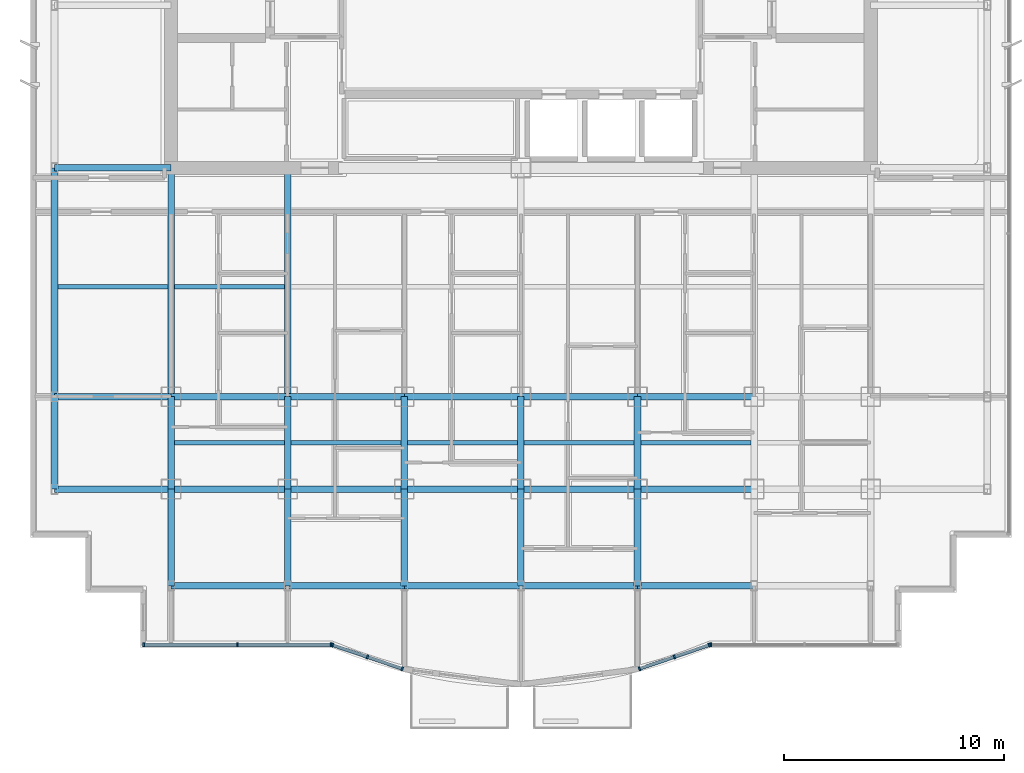
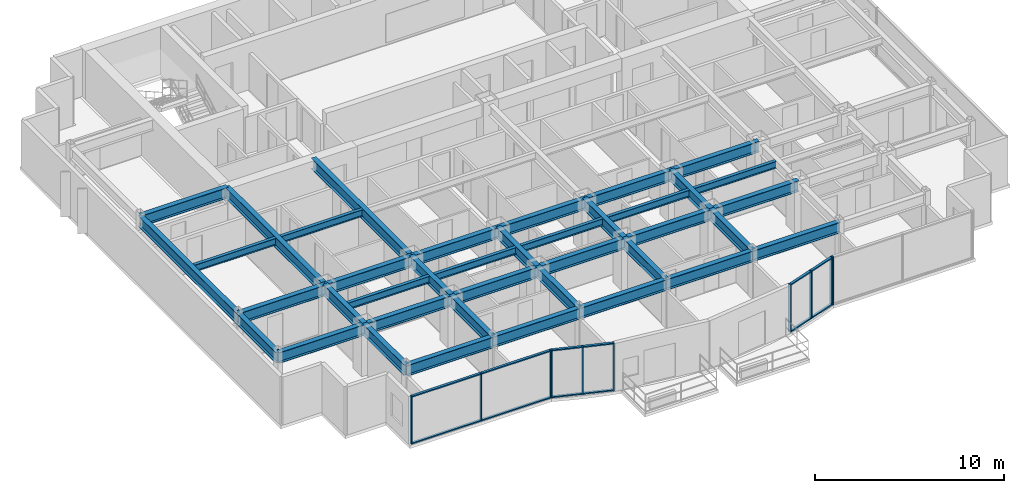
# One storey, part 2 of 13: 39 beams, 22 members, 4 elements without a shape of their own.
"""IFC4 building model written with IfcOpenShell, lengths in metres."""

from ifc_helpers import new_model, si_unit, direction, frame, origin, origin_2d, place, context, subcontext, project, spatial, rectangle, i_section, extrude, source, transform, mapped, material, layer, layer_set, material_profile, profile_set, type_object, element, aggregate, save


model = new_model("IFC4")

# Units and contexts
model_context = context("Model", 3, precision=1e-05, world=origin(), true_north=direction((0.0, 1.0)))
body_context = subcontext(model_context, "Body", "Model", "MODEL_VIEW")
ifc_project = project(units=[si_unit("LENGTHUNIT", "METRE"), si_unit("AREAUNIT", "SQUARE_METRE"), si_unit("VOLUMEUNIT", "CUBIC_METRE"), si_unit("PLANEANGLEUNIT", "RADIAN"), si_unit("MASSUNIT", "GRAM", prefix="KILO")], contexts=[model_context])

# Site, building, storey
site_placement = place(None, origin())
site = spatial("IfcSite", under=ifc_project, at=site_placement, CompositionType="ELEMENT")
building_placement = place(site_placement, origin())
building = spatial("IfcBuilding", under=site, at=building_placement, Name="Qianlan Lanfeng Residences", CompositionType="ELEMENT")
storey_placement = place(building_placement, frame((0.0, 0.0, 159.0)))
storey = spatial("IfcBuildingStorey", under=building, at=storey_placement, Name="L43", CompositionType="ELEMENT", Elevation=159.0)

# Beams
ifc_material_1 = material(Name="Steel SN490B", Category="steel")
ifc_material_profile_1 = material_profile(ifc_material_1, i_section(OverallWidth=0.300048828125, OverallDepth=0.699951171875, WebThickness=0.012939453125, FlangeThickness=0.02392578125, at=origin_2d()), Name="H 700x300x13x24")
ifc_profile_set_1 = profile_set([ifc_material_profile_1], Name="Steel SN490B")
beam_type_1 = type_object("IfcBeamType", Name="G-750", PredefinedType="BEAM", material=ifc_profile_set_1)
beam_1_placement = place(storey_placement, frame((5.300048828125, 10.60009765625, 2.75), z_axis=(1.0, 0.0, 0.0), x_axis=(0.0, 1.0, 0.0)))
element("IfcBeam", 1, at=beam_1_placement, inside=storey, type_object=beam_type_1, Name="Structural beam G-750", PredefinedType="BEAM", context=body_context, shape_type="SweptSolid", body=[
    extrude(i_section(OverallWidth=0.300048828125, OverallDepth=0.699951171875, WebThickness=0.012939453125, FlangeThickness=0.02392578125, at=origin_2d()), origin(), (0.0, 0.0, 1.0), 5.300048828125),
])
beam_2_placement = place(storey_placement, frame((10.60009765625, 10.60009765625, 2.75), z_axis=(1.0, 0.0, 0.0), x_axis=(0.0, 1.0, 0.0)))
element("IfcBeam", 2, at=beam_2_placement, inside=storey, type_object=beam_type_1, Name="Structural beam G-750", PredefinedType="BEAM", context=body_context, shape_type="SweptSolid", body=[
    extrude(i_section(OverallWidth=0.300048828125, OverallDepth=0.699951171875, WebThickness=0.012939453125, FlangeThickness=0.02392578125, at=origin_2d()), origin(), (0.0, 0.0, 1.0), 5.2998046875),
])
for number, where, z_axis, x_axis, name in (
    (3, (15.89990234375, 10.60009765625, 2.75), (1.0, 0.0, 0.0), (0.0, 1.0, 0.0), "Structural beam G-750"),
    (4, (21.199951171875, 10.60009765625, 2.75), (1.0, 0.0, 0.0), (0.0, 1.0, 0.0), "Structural beam G-750"),
    (5, (26.5, 10.60009765625, 2.75), (1.0, 0.0, 0.0), (0.0, 1.0, 0.0), "Structural beam G-750"),
    (6, (31.800048828125, 10.60009765625, 2.75), (1.0, 0.0, 0.0), (0.0, 1.0, 0.0), "Structural beam G-750"),
    (7, (5.300048828125, 14.800048828125, 2.75), (1.0, 0.0, 0.0), (0.0, 1.0, 0.0), "Structural beam G-750"),
):
    element("IfcBeam", number, at=place(storey_placement, frame(where, z_axis=z_axis, x_axis=x_axis)), inside=storey, type_object=beam_type_1, Name=name, PredefinedType="BEAM", context=body_context, shape_type="SweptSolid", body=[
        extrude(i_section(OverallWidth=0.300048828125, OverallDepth=0.699951171875, WebThickness=0.012939453125, FlangeThickness=0.02392578125, at=origin_2d()), origin(), (0.0, 0.0, 1.0), 5.300048828125),
    ])
beam_3_placement = place(storey_placement, frame((10.60009765625, 14.800048828125, 2.75), z_axis=(1.0, 0.0, 0.0), x_axis=(0.0, 1.0, 0.0)))
element("IfcBeam", 8, at=beam_3_placement, inside=storey, type_object=beam_type_1, Name="Structural beam G-750", PredefinedType="BEAM", context=body_context, shape_type="SweptSolid", body=[
    extrude(i_section(OverallWidth=0.300048828125, OverallDepth=0.699951171875, WebThickness=0.012939453125, FlangeThickness=0.02392578125, at=origin_2d()), origin(), (0.0, 0.0, 1.0), 5.2998046875),
])
for number, where, z_axis, x_axis, name in (
    (9, (15.89990234375, 14.800048828125, 2.75), (1.0, 0.0, 0.0), (0.0, 1.0, 0.0), "Structural beam G-750"),
    (10, (21.199951171875, 14.800048828125, 2.75), (1.0, 0.0, 0.0), (0.0, 1.0, 0.0), "Structural beam G-750"),
    (11, (26.5, 14.800048828125, 2.75), (1.0, 0.0, 0.0), (0.0, 1.0, 0.0), "Structural beam G-750"),
    (12, (31.800048828125, 14.800048828125, 2.75), (1.0, 0.0, 0.0), (0.0, 1.0, 0.0), "Structural beam G-750"),
    (13, (5.300048828125, 25.199951171875, 2.75), (1.0, 0.0, 0.0), (0.0, 1.0, 0.0), "Structural beam G-750"),
):
    element("IfcBeam", number, at=place(storey_placement, frame(where, z_axis=z_axis, x_axis=x_axis)), inside=storey, type_object=beam_type_1, Name=name, PredefinedType="BEAM", context=body_context, shape_type="SweptSolid", body=[
        extrude(i_section(OverallWidth=0.300048828125, OverallDepth=0.699951171875, WebThickness=0.012939453125, FlangeThickness=0.02392578125, at=origin_2d()), origin(), (0.0, 0.0, 1.0), 5.300048828125),
    ])
beam_4_placement = place(storey_placement, frame((10.60009765625, 6.199951171875, 2.75), z_axis=(0.0, 1.0, 0.0), x_axis=(-1.0, 0.0, 0.0)))
element("IfcBeam", 14, at=beam_4_placement, inside=storey, type_object=beam_type_1, Name="Structural beam G-750", PredefinedType="BEAM", context=body_context, shape_type="SweptSolid", body=[
    extrude(i_section(OverallWidth=0.300048828125, OverallDepth=0.699951171875, WebThickness=0.012939453125, FlangeThickness=0.02392578125, at=origin_2d()), origin(), (0.0, 0.0, 1.0), 4.400146484375),
])
beam_5_placement = place(storey_placement, frame((10.60009765625, 10.60009765625, 2.75), z_axis=(0.0, 1.0, 0.0), x_axis=(-1.0, 0.0, 0.0)))
element("IfcBeam", 15, at=beam_5_placement, inside=storey, type_object=beam_type_1, Name="Structural beam G-750", PredefinedType="BEAM", context=body_context, shape_type="SweptSolid", body=[
    extrude(i_section(OverallWidth=0.300048828125, OverallDepth=0.699951171875, WebThickness=0.012939453125, FlangeThickness=0.02392578125, at=origin_2d()), origin(), (0.0, 0.0, 1.0), 4.199951171875),
])
beam_6_placement = place(storey_placement, frame((10.60009765625, 14.800048828125, 2.75), z_axis=(0.0, 1.0, 0.0), x_axis=(-1.0, 0.0, 0.0)))
element("IfcBeam", 16, at=beam_6_placement, inside=storey, type_object=beam_type_1, Name="Structural beam G-750", PredefinedType="BEAM", context=body_context, shape_type="SweptSolid", body=[
    extrude(i_section(OverallWidth=0.300048828125, OverallDepth=0.699951171875, WebThickness=0.012939453125, FlangeThickness=0.02392578125, at=origin_2d()), origin(), (0.0, 0.0, 1.0), 10.39990234375),
])
beam_7_placement = place(storey_placement, frame((15.89990234375, 6.199951171875, 2.75), z_axis=(0.0, 1.0, 0.0), x_axis=(-1.0, 0.0, 0.0)))
element("IfcBeam", 17, at=beam_7_placement, inside=storey, type_object=beam_type_1, Name="Structural beam G-750", PredefinedType="BEAM", context=body_context, shape_type="SweptSolid", body=[
    extrude(i_section(OverallWidth=0.300048828125, OverallDepth=0.699951171875, WebThickness=0.012939453125, FlangeThickness=0.02392578125, at=origin_2d()), origin(), (0.0, 0.0, 1.0), 4.400146484375),
])
beam_8_placement = place(storey_placement, frame((15.89990234375, 10.60009765625, 2.75), z_axis=(0.0, 1.0, 0.0), x_axis=(-1.0, 0.0, 0.0)))
element("IfcBeam", 18, at=beam_8_placement, inside=storey, type_object=beam_type_1, Name="Structural beam G-750", PredefinedType="BEAM", context=body_context, shape_type="SweptSolid", body=[
    extrude(i_section(OverallWidth=0.300048828125, OverallDepth=0.699951171875, WebThickness=0.012939453125, FlangeThickness=0.02392578125, at=origin_2d()), origin(), (0.0, 0.0, 1.0), 4.199951171875),
])
beam_9_placement = place(storey_placement, frame((15.89990234375, 14.800048828125, 2.75), z_axis=(0.0, 1.0, 0.0), x_axis=(-1.0, 0.0, 0.0)))
element("IfcBeam", 19, at=beam_9_placement, inside=storey, type_object=beam_type_1, Name="Structural beam G-750", PredefinedType="BEAM", context=body_context, shape_type="SweptSolid", body=[
    extrude(i_section(OverallWidth=0.300048828125, OverallDepth=0.699951171875, WebThickness=0.012939453125, FlangeThickness=0.02392578125, at=origin_2d()), origin(), (0.0, 0.0, 1.0), 10.39990234375),
])
beam_10_placement = place(storey_placement, frame((21.199951171875, 6.199951171875, 2.75), z_axis=(0.0, 1.0, 0.0), x_axis=(-1.0, 0.0, 0.0)))
element("IfcBeam", 20, at=beam_10_placement, inside=storey, type_object=beam_type_1, Name="Structural beam G-750", PredefinedType="BEAM", context=body_context, shape_type="SweptSolid", body=[
    extrude(i_section(OverallWidth=0.300048828125, OverallDepth=0.699951171875, WebThickness=0.012939453125, FlangeThickness=0.02392578125, at=origin_2d()), origin(), (0.0, 0.0, 1.0), 4.400146484375),
])
beam_11_placement = place(storey_placement, frame((21.199951171875, 10.60009765625, 2.75), z_axis=(0.0, 1.0, 0.0), x_axis=(-1.0, 0.0, 0.0)))
element("IfcBeam", 21, at=beam_11_placement, inside=storey, type_object=beam_type_1, Name="Structural beam G-750", PredefinedType="BEAM", context=body_context, shape_type="SweptSolid", body=[
    extrude(i_section(OverallWidth=0.300048828125, OverallDepth=0.699951171875, WebThickness=0.012939453125, FlangeThickness=0.02392578125, at=origin_2d()), origin(), (0.0, 0.0, 1.0), 4.199951171875),
])
beam_12_placement = place(storey_placement, frame((26.5, 6.199951171875, 2.75), z_axis=(0.0, 1.0, 0.0), x_axis=(-1.0, 0.0, 0.0)))
element("IfcBeam", 22, at=beam_12_placement, inside=storey, type_object=beam_type_1, Name="Structural beam G-750", PredefinedType="BEAM", context=body_context, shape_type="SweptSolid", body=[
    extrude(i_section(OverallWidth=0.300048828125, OverallDepth=0.699951171875, WebThickness=0.012939453125, FlangeThickness=0.02392578125, at=origin_2d()), origin(), (0.0, 0.0, 1.0), 4.400146484375),
])
beam_13_placement = place(storey_placement, frame((26.5, 10.60009765625, 2.75), z_axis=(0.0, 1.0, 0.0), x_axis=(-1.0, 0.0, 0.0)))
element("IfcBeam", 23, at=beam_13_placement, inside=storey, type_object=beam_type_1, Name="Structural beam G-750", PredefinedType="BEAM", context=body_context, shape_type="SweptSolid", body=[
    extrude(i_section(OverallWidth=0.300048828125, OverallDepth=0.699951171875, WebThickness=0.012939453125, FlangeThickness=0.02392578125, at=origin_2d()), origin(), (0.0, 0.0, 1.0), 4.199951171875),
])
beam_14_placement = place(storey_placement, frame((31.800048828125, 6.199951171875, 2.75), z_axis=(0.0, 1.0, 0.0), x_axis=(-1.0, 0.0, 0.0)))
element("IfcBeam", 24, at=beam_14_placement, inside=storey, type_object=beam_type_1, Name="Structural beam G-750", PredefinedType="BEAM", context=body_context, shape_type="SweptSolid", body=[
    extrude(i_section(OverallWidth=0.300048828125, OverallDepth=0.699951171875, WebThickness=0.012939453125, FlangeThickness=0.02392578125, at=origin_2d()), origin(), (0.0, 0.0, 1.0), 4.400146484375),
])
beam_15_placement = place(storey_placement, frame((31.800048828125, 10.60009765625, 2.75), z_axis=(0.0, 1.0, 0.0), x_axis=(-1.0, 0.0, 0.0)))
element("IfcBeam", 25, at=beam_15_placement, inside=storey, type_object=beam_type_1, Name="Structural beam G-750", PredefinedType="BEAM", context=body_context, shape_type="SweptSolid", body=[
    extrude(i_section(OverallWidth=0.300048828125, OverallDepth=0.699951171875, WebThickness=0.012939453125, FlangeThickness=0.02392578125, at=origin_2d()), origin(), (0.0, 0.0, 1.0), 4.199951171875),
])
ifc_material_profile_2 = material_profile(ifc_material_1, i_section(OverallWidth=0.199951171875, OverallDepth=0.449951171875, WebThickness=0.009033203125, FlangeThickness=0.013916015625, at=origin_2d()), Name="H 450x200x9x14")
ifc_profile_set_2 = profile_set([ifc_material_profile_2], Name="Steel SN490B")
beam_type_2 = type_object("IfcBeamType", Name="J-450", PredefinedType="JOIST", material=ifc_profile_set_2)
for number, where, z_axis, x_axis, name in (
    (26, (10.75, 12.699951171875, 2.875), (1.0, 0.0, 0.0), (0.0, 1.0, 0.0), "Structural beam J-450"),
    (27, (16.050048828125, 12.699951171875, 2.875), (1.0, 0.0, 0.0), (0.0, 1.0, 0.0), "Structural beam J-450"),
    (28, (21.35009765625, 12.699951171875, 2.875), (1.0, 0.0, 0.0), (0.0, 1.0, 0.0), "Structural beam J-450"),
    (29, (26.64990234375, 12.699951171875, 2.875), (1.0, 0.0, 0.0), (0.0, 1.0, 0.0), "Structural beam J-450"),
    (30, (31.949951171875, 12.699951171875, 2.875), (1.0, 0.0, 0.0), (0.0, 1.0, 0.0), "Structural beam J-450"),
    (31, (5.449951171875, 19.800048828125, 2.875), (1.0, 0.0, 0.0), (0.0, 1.0, 0.0), "Structural beam J-450"),
    (32, (10.75, 19.800048828125, 2.875), (1.0, 0.0, 0.0), (0.0, 1.0, 0.0), "Structural beam J-450"),
):
    element("IfcBeam", number, at=place(storey_placement, frame(where, z_axis=z_axis, x_axis=x_axis)), inside=storey, type_object=beam_type_2, Name=name, PredefinedType="JOIST", context=body_context, shape_type="SweptSolid", body=[
        extrude(i_section(OverallWidth=0.199951171875, OverallDepth=0.449951171875, WebThickness=0.009033203125, FlangeThickness=0.013916015625, at=origin_2d()), origin(), (0.0, 0.0, 1.0), 5.0),
    ])
ifc_material_profile_3 = material_profile(ifc_material_1, i_section(OverallWidth=0.300048828125, OverallDepth=0.699951171875, WebThickness=0.012939453125, FlangeThickness=0.02392578125, at=origin_2d()), Name="H 700x300x13x24")
ifc_profile_set_3 = profile_set([ifc_material_profile_3], Name="Steel SN490B")
beam_type_3 = type_object("IfcBeamType", Name="SG-750", PredefinedType="SPANDREL", material=ifc_profile_set_3)
beam_16_placement = place(storey_placement, frame((10.60009765625, 6.199951171875, 2.739990234375), z_axis=(1.0, 0.0, 0.0), x_axis=(0.0, 1.0, 0.0)))
element("IfcBeam", 33, at=beam_16_placement, inside=storey, type_object=beam_type_3, Name="Structural beam SG-750", PredefinedType="SPANDREL", context=body_context, shape_type="SweptSolid", body=[
    extrude(i_section(OverallWidth=0.300048828125, OverallDepth=0.699951171875, WebThickness=0.012939453125, FlangeThickness=0.02392578125, at=origin_2d()), origin(), (0.0, 0.0, 1.0), 5.2998046875),
])
for number, where, z_axis, x_axis, name in (
    (34, (15.89990234375, 6.199951171875, 2.739990234375), (1.0, 0.0, 0.0), (0.0, 1.0, 0.0), "Structural beam SG-750"),
    (35, (21.199951171875, 6.199951171875, 2.739990234375), (1.0, 0.0, 0.0), (0.0, 1.0, 0.0), "Structural beam SG-750"),
    (36, (26.5, 6.199951171875, 2.739990234375), (1.0, 0.0, 0.0), (0.0, 1.0, 0.0), "Structural beam SG-750"),
    (37, (31.800048828125, 6.199951171875, 2.739990234375), (1.0, 0.0, 0.0), (0.0, 1.0, 0.0), "Structural beam SG-750"),
):
    element("IfcBeam", number, at=place(storey_placement, frame(where, z_axis=z_axis, x_axis=x_axis)), inside=storey, type_object=beam_type_3, Name=name, PredefinedType="SPANDREL", context=body_context, shape_type="SweptSolid", body=[
        extrude(i_section(OverallWidth=0.300048828125, OverallDepth=0.699951171875, WebThickness=0.012939453125, FlangeThickness=0.02392578125, at=origin_2d()), origin(), (0.0, 0.0, 1.0), 5.300048828125),
    ])
beam_17_placement = place(storey_placement, frame((5.300048828125, 10.60009765625, 2.739990234375), z_axis=(0.0, 1.0, 0.0), x_axis=(-1.0, 0.0, 0.0)))
element("IfcBeam", 38, at=beam_17_placement, inside=storey, type_object=beam_type_3, Name="Structural beam SG-750", PredefinedType="SPANDREL", context=body_context, shape_type="SweptSolid", body=[
    extrude(i_section(OverallWidth=0.300048828125, OverallDepth=0.699951171875, WebThickness=0.012939453125, FlangeThickness=0.02392578125, at=origin_2d()), origin(), (0.0, 0.0, 1.0), 4.199951171875),
])
beam_18_placement = place(storey_placement, frame((5.300048828125, 14.800048828125, 2.739990234375), z_axis=(0.0, 1.0, 0.0), x_axis=(-1.0, 0.0, 0.0)))
element("IfcBeam", 39, at=beam_18_placement, inside=storey, type_object=beam_type_3, Name="Structural beam SG-750", PredefinedType="SPANDREL", context=body_context, shape_type="SweptSolid", body=[
    extrude(i_section(OverallWidth=0.300048828125, OverallDepth=0.699951171875, WebThickness=0.012939453125, FlangeThickness=0.02392578125, at=origin_2d()), origin(), (0.0, 0.0, 1.0), 10.39990234375),
])

# Curtain wall, members
ifc_material_2 = material(Name="Anodised Bronze Aluminium 6063-T6", Category="aluminium")
ifc_layer = layer(ifc_material_2, 0.219970703125)
ifc_layer_set = layer_set([ifc_layer], Name="Anodised Bronze Aluminium 6063-T6")
curtain_wall_type = type_object("IfcCurtainWallType", Name="CW-04", PredefinedType="NOTDEFINED", material=ifc_layer_set)
curtain_wall_1_placement = place(storey_placement, origin())
curtain_wall_1 = element("IfcCurtainWall", 40, at=curtain_wall_1_placement, inside=storey, type_object=curtain_wall_type, Name="L43 Unitised Curtain Wall CWR-L43-01 (CW-04)", PredefinedType="NOTDEFINED")
ifc_material_profile_4 = material_profile(ifc_material_2, rectangle(XDim=0.074951171875, YDim=0.14990234375, at=origin_2d()), Name="ALU TRANSOM 75x150")
ifc_profile_set_4 = profile_set([ifc_material_profile_4], Name="Anodised Bronze Aluminium 6063-T6")
member_type_1 = type_object("IfcMemberType", Name="CWT-150", PredefinedType="USERDEFINED", material=ifc_profile_set_4)
shared_shape_1 = source(origin(), body_context, "Body", "SweptSolid", [
    extrude(rectangle(XDim=0.074951171875, YDim=0.14990234375, at=origin_2d()), origin(), (0.0, 0.0, 1.0), 4.178955078125),
])
member_1_placement = place(storey_placement, frame((9.39501953125, 3.52001953125, 0.03759765625), z_axis=(1.0, 0.0, 0.0), x_axis=(0.0, 0.0, 1.0)))
member_1 = element("IfcMember", 41, at=member_1_placement, type_object=member_type_1, Name="CWR-L43-01 Transom 1-BOT", ObjectType="TRANSOM", PredefinedType="USERDEFINED", context=body_context, shape_type="MappedRepresentation", body=[
    mapped(shared_shape_1, transform((0.0, 0.0, 0.0), scale=1.0)),
])
member_2_placement = place(storey_placement, frame((9.39501953125, 3.52001953125, 3.0625), z_axis=(1.0, 0.0, 0.0), x_axis=(0.0, 0.0, 1.0)))
member_2 = element("IfcMember", 42, at=member_2_placement, type_object=member_type_1, Name="CWR-L43-01 Transom 1-TOP", ObjectType="TRANSOM", PredefinedType="USERDEFINED", context=body_context, shape_type="MappedRepresentation", body=[
    mapped(shared_shape_1, transform((0.0, 0.0, 0.0), scale=1.0)),
])
member_3_placement = place(storey_placement, frame((13.64892578125, 3.52001953125, 0.03759765625), z_axis=(1.0, 0.0, 0.0), x_axis=(0.0, 0.0, 1.0)))
member_3 = element("IfcMember", 43, at=member_3_placement, type_object=member_type_1, Name="CWR-L43-01 Transom 2-BOT", ObjectType="TRANSOM", PredefinedType="USERDEFINED", context=body_context, shape_type="MappedRepresentation", body=[
    mapped(shared_shape_1, transform((0.0, 0.0, 0.0), scale=1.0)),
])
member_4_placement = place(storey_placement, frame((13.64892578125, 3.52001953125, 3.0625), z_axis=(1.0, 0.0, 0.0), x_axis=(0.0, 0.0, 1.0)))
member_4 = element("IfcMember", 44, at=member_4_placement, type_object=member_type_1, Name="CWR-L43-01 Transom 2-TOP", ObjectType="TRANSOM", PredefinedType="USERDEFINED", context=body_context, shape_type="MappedRepresentation", body=[
    mapped(shared_shape_1, transform((0.0, 0.0, 0.0), scale=1.0)),
])

curtain_wall_2_placement = place(storey_placement, origin())
curtain_wall_2 = element("IfcCurtainWall", 45, at=curtain_wall_2_placement, inside=storey, type_object=curtain_wall_type, Name="L43 Unitised Curtain Wall CWR-L43-02 (CW-04)", PredefinedType="NOTDEFINED")
shared_shape_2 = source(origin(), body_context, "Body", "SweptSolid", [
    extrude(rectangle(XDim=0.074951171875, YDim=0.14990234375, at=origin_2d()), origin(), (0.0, 0.0, 1.0), 1.597900390625),
])
member_5_placement = place(storey_placement, frame((17.97412109375, 3.495849609375, 0.03759765625), z_axis=(0.946818368584, -0.321768514481, 0.0), x_axis=(0.0, 0.0, 1.0)))
member_5 = element("IfcMember", 46, at=member_5_placement, type_object=member_type_1, Name="CWR-L43-02 Transom 1-BOT", ObjectType="TRANSOM", PredefinedType="USERDEFINED", context=body_context, shape_type="MappedRepresentation", body=[
    mapped(shared_shape_2, transform((0.0, 0.0, 0.0), scale=1.0)),
])
member_6_placement = place(storey_placement, frame((17.97412109375, 3.495849609375, 3.0625), z_axis=(0.946818368584, -0.321768514481, 0.0), x_axis=(0.0, 0.0, 1.0)))
member_6 = element("IfcMember", 47, at=member_6_placement, type_object=member_type_1, Name="CWR-L43-02 Transom 1-TOP", ObjectType="TRANSOM", PredefinedType="USERDEFINED", context=body_context, shape_type="MappedRepresentation", body=[
    mapped(shared_shape_2, transform((0.0, 0.0, 0.0), scale=1.0)),
])
member_7_placement = place(storey_placement, frame((19.55810546875, 2.95751953125, 0.03759765625), z_axis=(0.94677181357, -0.321905472195, 0.0), x_axis=(0.0, 0.0, 1.0)))
member_7 = element("IfcMember", 48, at=member_7_placement, type_object=member_type_1, Name="CWR-L43-02 Transom 2-BOT", ObjectType="TRANSOM", PredefinedType="USERDEFINED", context=body_context, shape_type="MappedRepresentation", body=[
    mapped(shared_shape_2, transform((0.0, 0.0, 0.0), scale=1.0)),
])
member_8_placement = place(storey_placement, frame((19.55810546875, 2.95751953125, 3.0625), z_axis=(0.94677181357, -0.321905472195, 0.0), x_axis=(0.0, 0.0, 1.0)))
member_8 = element("IfcMember", 49, at=member_8_placement, type_object=member_type_1, Name="CWR-L43-02 Transom 2-TOP", ObjectType="TRANSOM", PredefinedType="USERDEFINED", context=body_context, shape_type="MappedRepresentation", body=[
    mapped(shared_shape_2, transform((0.0, 0.0, 0.0), scale=1.0)),
])

# Member
ifc_material_profile_5 = material_profile(ifc_material_2, rectangle(XDim=0.074951171875, YDim=0.179931640625, at=origin_2d()), Name="ALU MULLION 75x180")
ifc_profile_set_5 = profile_set([ifc_material_profile_5], Name="Anodised Bronze Aluminium 6063-T6")
member_type_2 = type_object("IfcMemberType", Name="CWM-180", PredefinedType="MULLION", material=ifc_profile_set_5)
shared_shape_3 = source(origin(), body_context, "Body", "SweptSolid", [
    extrude(rectangle(XDim=0.074951171875, YDim=0.179931640625, at=origin_2d()), origin(), (0.0, 0.0, 1.0), 3.10009765625),
])
member_9_placement = place(storey_placement, frame((9.357421875, 3.52001953125, 0.0), z_axis=(0.0, 0.0, 1.0), x_axis=(1.0, 0.0, 0.0)))
member_9 = element("IfcMember", 50, at=member_9_placement, type_object=member_type_2, Name="CWR-L43-01 Mullion 1", PredefinedType="MULLION", context=body_context, shape_type="MappedRepresentation", body=[
    mapped(shared_shape_3, transform((0.0, 0.0, 0.0), scale=1.0)),
])

member_10_placement = place(storey_placement, frame((13.611572265625, 3.52001953125, 0.0), z_axis=(0.0, 0.0, 1.0), x_axis=(1.0, 0.0, 0.0)))
member_10 = element("IfcMember", 51, at=member_10_placement, type_object=member_type_2, Name="CWR-L43-01 Mullion 2", PredefinedType="MULLION", context=body_context, shape_type="MappedRepresentation", body=[
    mapped(shared_shape_3, transform((0.0, 0.0, 0.0), scale=1.0)),
])

member_11_placement = place(storey_placement, frame((17.865478515625, 3.52001953125, 0.0), z_axis=(0.0, 0.0, 1.0), x_axis=(1.0, 0.0, 0.0)))
member_11 = element("IfcMember", 52, at=member_11_placement, type_object=member_type_2, Name="CWR-L43-01 Mullion 3", PredefinedType="MULLION", context=body_context, shape_type="MappedRepresentation", body=[
    mapped(shared_shape_3, transform((0.0, 0.0, 0.0), scale=1.0)),
])

aggregate(curtain_wall_1, [member_9, member_10, member_11, member_1, member_2, member_3, member_4])

member_12_placement = place(storey_placement, frame((17.9384765625, 3.5078125, 0.0), z_axis=(0.0, 0.0, 1.0), x_axis=(0.946795963885, -0.321834433787, 0.0)))
member_12 = element("IfcMember", 53, at=member_12_placement, type_object=member_type_2, Name="CWR-L43-02 Mullion 1", PredefinedType="MULLION", context=body_context, shape_type="MappedRepresentation", body=[
    mapped(shared_shape_3, transform((0.0, 0.0, 0.0), scale=1.0)),
])

member_13_placement = place(storey_placement, frame((19.5224609375, 2.969482421875, 0.0), z_axis=(0.0, 0.0, 1.0), x_axis=(0.946795963885, -0.321834433787, 0.0)))
member_13 = element("IfcMember", 54, at=member_13_placement, type_object=member_type_2, Name="CWR-L43-02 Mullion 2", PredefinedType="MULLION", context=body_context, shape_type="MappedRepresentation", body=[
    mapped(shared_shape_3, transform((0.0, 0.0, 0.0), scale=1.0)),
])

member_14_placement = place(storey_placement, frame((21.1064453125, 2.43115234375, 0.0), z_axis=(0.0, 0.0, 1.0), x_axis=(0.946795963885, -0.321834433787, 0.0)))
member_14 = element("IfcMember", 55, at=member_14_placement, type_object=member_type_2, Name="CWR-L43-02 Mullion 3", PredefinedType="MULLION", context=body_context, shape_type="MappedRepresentation", body=[
    mapped(shared_shape_3, transform((0.0, 0.0, 0.0), scale=1.0)),
])

aggregate(curtain_wall_2, [member_12, member_13, member_14, member_5, member_6, member_7, member_8])

# Curtain wall, members
curtain_wall_3_placement = place(storey_placement, origin())
curtain_wall_3 = element("IfcCurtainWall", 56, at=curtain_wall_3_placement, inside=storey, type_object=curtain_wall_type, Name="L43 Unitised Curtain Wall CWR-L43-03 (CW-04)", PredefinedType="NOTDEFINED")
member_15_placement = place(storey_placement, frame((31.892578125, 2.43115234375, 0.0), z_axis=(0.0, 0.0, 1.0), x_axis=(0.946826291861, 0.32174519894, 0.0)))
member_15 = element("IfcMember", 57, at=member_15_placement, type_object=member_type_2, Name="CWR-L43-03 Mullion 1", PredefinedType="MULLION", context=body_context, shape_type="MappedRepresentation", body=[
    mapped(shared_shape_3, transform((0.0, 0.0, 0.0), scale=1.0)),
])
member_16_placement = place(storey_placement, frame((33.47705078125, 2.969482421875, 0.0), z_axis=(0.0, 0.0, 1.0), x_axis=(0.946826291861, 0.32174519894, 0.0)))
member_16 = element("IfcMember", 58, at=member_16_placement, type_object=member_type_2, Name="CWR-L43-03 Mullion 2", PredefinedType="MULLION", context=body_context, shape_type="MappedRepresentation", body=[
    mapped(shared_shape_3, transform((0.0, 0.0, 0.0), scale=1.0)),
])
member_17_placement = place(storey_placement, frame((35.0615234375, 3.5078125, 0.0), z_axis=(0.0, 0.0, 1.0), x_axis=(0.946826291861, 0.32174519894, 0.0)))
member_17 = element("IfcMember", 59, at=member_17_placement, type_object=member_type_2, Name="CWR-L43-03 Mullion 3", PredefinedType="MULLION", context=body_context, shape_type="MappedRepresentation", body=[
    mapped(shared_shape_3, transform((0.0, 0.0, 0.0), scale=1.0)),
])

# Curtain wall, member
curtain_wall_4_placement = place(storey_placement, origin())
curtain_wall_4 = element("IfcCurtainWall", 60, at=curtain_wall_4_placement, inside=storey, type_object=curtain_wall_type, Name="L43 Unitised Curtain Wall CWR-L43-04 (CW-04)", PredefinedType="NOTDEFINED")
member_18_placement = place(storey_placement, frame((35.134521484375, 3.52001953125, 0.0), z_axis=(0.0, 0.0, 1.0), x_axis=(1.0, 0.0, 0.0)))
member_18 = element("IfcMember", 61, at=member_18_placement, type_object=member_type_2, Name="CWR-L43-04 Mullion 1", PredefinedType="MULLION", context=body_context, shape_type="MappedRepresentation", body=[
    mapped(shared_shape_3, transform((0.0, 0.0, 0.0), scale=1.0)),
])
aggregate(curtain_wall_4, [member_18])

# Member
shared_shape_4 = source(origin(), body_context, "Body", "SweptSolid", [
    extrude(rectangle(XDim=0.074951171875, YDim=0.14990234375, at=origin_2d()), origin(), (0.0, 0.0, 1.0), 1.598388671875),
])
member_19_placement = place(storey_placement, frame((31.927978515625, 2.443115234375, 0.03759765625), z_axis=(0.946803462724, 0.321812372312, 0.0), x_axis=(0.0, 0.0, 1.0)))
member_19 = element("IfcMember", 62, at=member_19_placement, type_object=member_type_1, Name="CWR-L43-03 Transom 1-BOT", ObjectType="TRANSOM", PredefinedType="USERDEFINED", context=body_context, shape_type="MappedRepresentation", body=[
    mapped(shared_shape_4, transform((0.0, 0.0, 0.0), scale=1.0)),
])

member_20_placement = place(storey_placement, frame((31.927978515625, 2.443115234375, 3.0625), z_axis=(0.946803462724, 0.321812372312, 0.0), x_axis=(0.0, 0.0, 1.0)))
member_20 = element("IfcMember", 63, at=member_20_placement, type_object=member_type_1, Name="CWR-L43-03 Transom 1-TOP", ObjectType="TRANSOM", PredefinedType="USERDEFINED", context=body_context, shape_type="MappedRepresentation", body=[
    mapped(shared_shape_4, transform((0.0, 0.0, 0.0), scale=1.0)),
])

member_21_placement = place(storey_placement, frame((33.512451171875, 2.981689453125, 0.03759765625), z_axis=(0.946849992367, 0.32167544506, 0.0), x_axis=(0.0, 0.0, 1.0)))
member_21 = element("IfcMember", 64, at=member_21_placement, type_object=member_type_1, Name="CWR-L43-03 Transom 2-BOT", ObjectType="TRANSOM", PredefinedType="USERDEFINED", context=body_context, shape_type="MappedRepresentation", body=[
    mapped(shared_shape_4, transform((0.0, 0.0, 0.0), scale=1.0)),
])

member_22_placement = place(storey_placement, frame((33.512451171875, 2.981689453125, 3.0625), z_axis=(0.946849992367, 0.32167544506, 0.0), x_axis=(0.0, 0.0, 1.0)))
member_22 = element("IfcMember", 65, at=member_22_placement, type_object=member_type_1, Name="CWR-L43-03 Transom 2-TOP", ObjectType="TRANSOM", PredefinedType="USERDEFINED", context=body_context, shape_type="MappedRepresentation", body=[
    mapped(shared_shape_4, transform((0.0, 0.0, 0.0), scale=1.0)),
])

aggregate(curtain_wall_3, [member_15, member_16, member_17, member_19, member_20, member_21, member_22])

save(model, "model.ifc")
